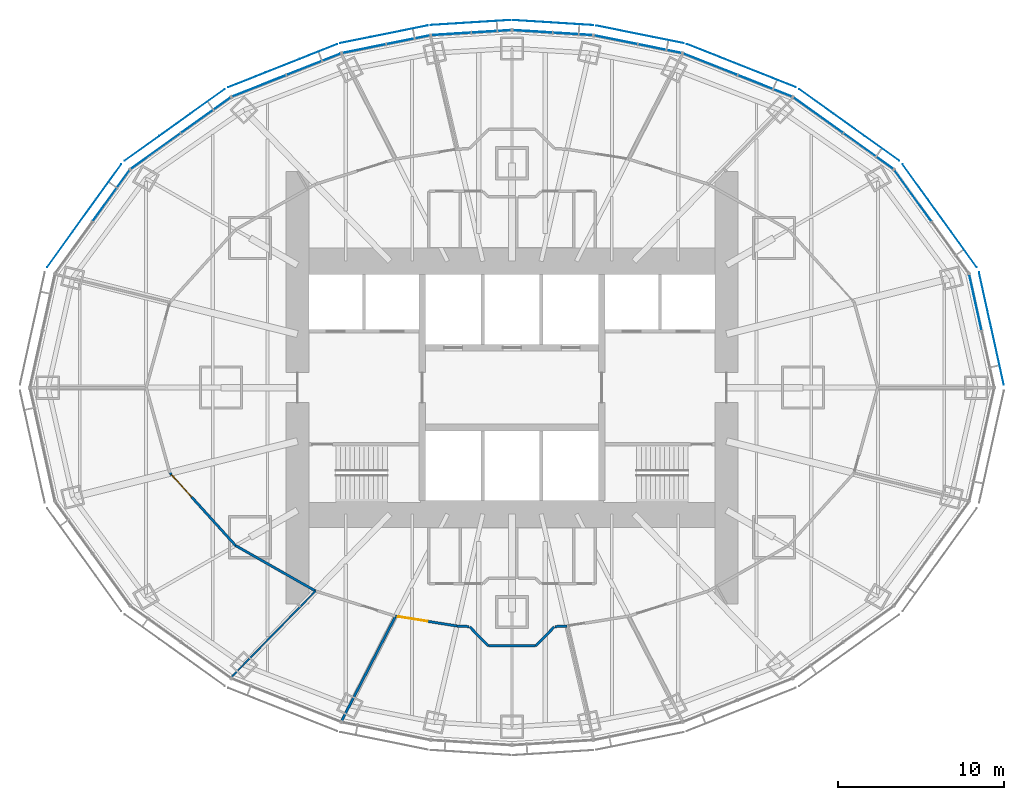
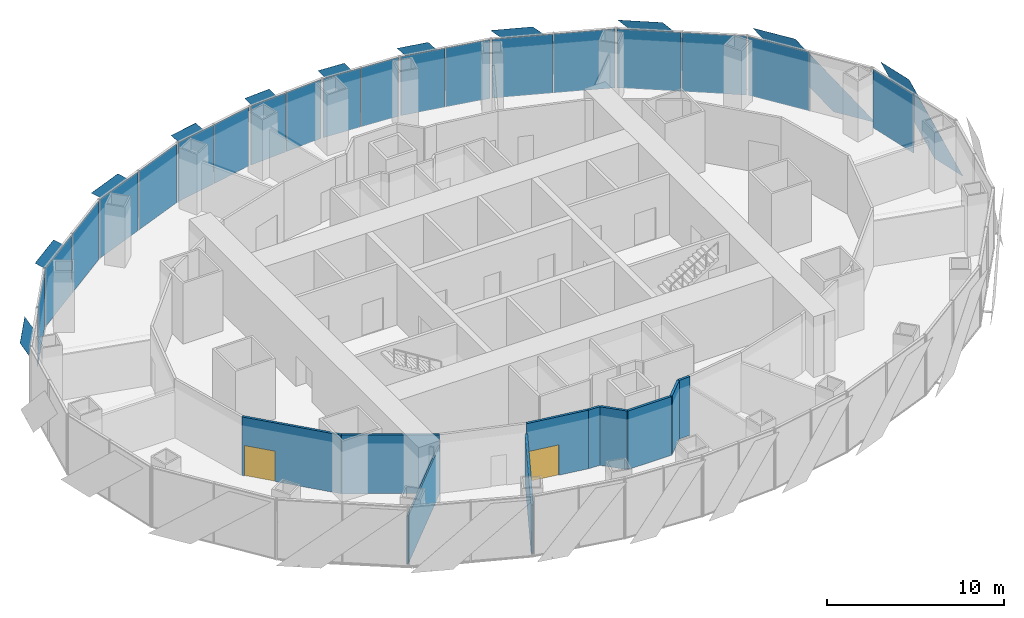
# One storey, part 10 of 18: 30 plates, 10 walls, 2 doors, 2 openings, 11 elements without a shape of their own.
"""IFC4 building model written with IfcOpenShell, lengths in metres."""

from ifc_helpers import new_model, si_unit, direction, frame, frame_2d, origin, origin_2d, place, context, subcontext, project, spatial, polyline, rectangle, outline, extrude, material, layer, layer_set, type_object, element, fill, aggregate, save


model = new_model("IFC4")

# Units and contexts
model_context = context("Model", 3, precision=1e-05, world=origin(), true_north=direction((0.0, 1.0)))
body_context = subcontext(model_context, "Body", "Model", "MODEL_VIEW")
ifc_project = project(units=[si_unit("LENGTHUNIT", "METRE"), si_unit("AREAUNIT", "SQUARE_METRE"), si_unit("VOLUMEUNIT", "CUBIC_METRE"), si_unit("PLANEANGLEUNIT", "RADIAN"), si_unit("MASSUNIT", "GRAM", prefix="KILO")], contexts=[model_context])

# Site, building, storey
site_placement = place(None, origin())
site = spatial("IfcSite", under=ifc_project, at=site_placement, CompositionType="ELEMENT")
building_placement = place(site_placement, origin())
building = spatial("IfcBuilding", under=site, at=building_placement, Name="Lantaw Convention Tower", CompositionType="ELEMENT")
storey_placement = place(building_placement, frame((0.0, 0.0, 176.199951171875)))
storey = spatial("IfcBuildingStorey", under=building, at=storey_placement, Name="L41", CompositionType="ELEMENT", Elevation=176.199951171875)

# Curtain wall, plate
ifc_material_1 = material(Name="Aluminium framed curtain wall", Category="aluminium")
curtain_wall_type = type_object("IfcCurtainWallType", Name="Office curtain wall low rise, pale aluminium", PredefinedType="USERDEFINED", material=ifc_material_1)
curtain_wall_1_placement = place(storey_placement, origin())
curtain_wall_1 = element("IfcCurtainWall", 1, at=curtain_wall_1_placement, inside=storey, type_object=curtain_wall_type, Name="Office curtain wall low rise, pale aluminium L41", ObjectType="UNITISED CURTAIN WALL", PredefinedType="USERDEFINED")
ifc_material_2 = material(Name="Clear insulating glass", Category="glass")
ifc_layer_1 = layer(ifc_material_2, 0.028076171875)
ifc_layer_set_1 = layer_set([ifc_layer_1], Name="CW-O1 panel 28")
plate_type_1 = type_object("IfcPlateType", Name="CW-O1 panel 28", PredefinedType="CURTAIN_PANEL", material=ifc_layer_set_1)
plate_1_placement = place(storey_placement, frame((27.868896484375, 5.1240234375, -0.0849609375), z_axis=(0.0, 0.0, 1.0), x_axis=(-0.215546166174, 0.9764936509, 0.0)))
plate_1 = element("IfcPlate", 2, at=plate_1_placement, type_object=plate_type_1, Name="CW-O1 panel 2.1", PredefinedType="CURTAIN_PANEL", context=body_context, shape_type="SweptSolid", body=[
    extrude(rectangle(XDim=3.41162109375, YDim=0.028076171875, at=origin_2d()), origin(), (0.0, 0.0, 1.0), 4.070068359375),
])
aggregate(curtain_wall_1, [plate_1])

curtain_wall_2_placement = place(storey_placement, origin())
curtain_wall_2 = element("IfcCurtainWall", 3, at=curtain_wall_2_placement, inside=storey, type_object=curtain_wall_type, Name="Office curtain wall low rise, pale aluminium L41", ObjectType="UNITISED CURTAIN WALL", PredefinedType="USERDEFINED")
plate_2_placement = place(storey_placement, frame((24.108154296875, 11.5439453125, -0.0849609375), z_axis=(0.0, 0.0, 1.0), x_axis=(-0.584512597221, 0.811384633629, 0.0)))
plate_2 = element("IfcPlate", 4, at=plate_2_placement, type_object=plate_type_1, Name="CW-O1 panel 2.1", PredefinedType="CURTAIN_PANEL", context=body_context, shape_type="SweptSolid", body=[
    extrude(rectangle(XDim=3.767333984375, YDim=0.028076171875, at=origin_2d()), origin(), (0.0, 0.0, 1.0), 4.070068359375),
])
aggregate(curtain_wall_2, [plate_2])

# Curtain wall, plates
curtain_wall_3_placement = place(storey_placement, origin())
curtain_wall_3 = element("IfcCurtainWall", 5, at=curtain_wall_3_placement, inside=storey, type_object=curtain_wall_type, Name="Office curtain wall low rise, pale aluminium L41", ObjectType="UNITISED CURTAIN WALL", PredefinedType="USERDEFINED")
plate_3_placement = place(storey_placement, frame((21.43408203125, 14.2236328125, -0.0849609375), z_axis=(0.0, 0.0, 1.0), x_axis=(-0.813208325995, 0.581972695693, 0.0)))
plate_3 = element("IfcPlate", 6, at=plate_3_placement, type_object=plate_type_1, Name="CW-O1 panel 1.1", PredefinedType="CURTAIN_PANEL", context=body_context, shape_type="SweptSolid", body=[
    extrude(rectangle(XDim=3.645263671875, YDim=0.028076171875, at=origin_2d()), origin(), (0.0, 0.0, 1.0), 4.070068359375),
])
plate_4_placement = place(storey_placement, frame((18.416748046875, 16.383056640625, -0.0849609375), z_axis=(0.0, 0.0, 1.0), x_axis=(-0.813208325995, 0.581972695693, 0.0)))
plate_4 = element("IfcPlate", 7, at=plate_4_placement, type_object=plate_type_1, Name="CW-O1 panel 2.1", PredefinedType="CURTAIN_PANEL", context=body_context, shape_type="SweptSolid", body=[
    extrude(rectangle(XDim=3.645263671875, YDim=0.028076171875, at=origin_2d()), origin(), (0.0, 0.0, 1.0), 4.070068359375),
])
aggregate(curtain_wall_3, [plate_3, plate_4])

curtain_wall_4_placement = place(storey_placement, origin())
curtain_wall_4 = element("IfcCurtainWall", 8, at=curtain_wall_4_placement, inside=storey, type_object=curtain_wall_type, Name="Office curtain wall low rise, pale aluminium L41", ObjectType="UNITISED CURTAIN WALL", PredefinedType="USERDEFINED")
plate_5_placement = place(storey_placement, frame((15.208251953125, 18.145263671875, -0.0849609375), z_axis=(0.0, 0.0, 1.0), x_axis=(-0.929547687544, 0.368701907483, 0.0)))
plate_5 = element("IfcPlate", 9, at=plate_5_placement, type_object=plate_type_1, Name="CW-O1 panel 1.1", PredefinedType="CURTAIN_PANEL", context=body_context, shape_type="SweptSolid", body=[
    extrude(rectangle(XDim=3.470703125, YDim=0.028076171875, at=origin_2d()), origin(), (0.0, 0.0, 1.0), 4.070068359375),
])
plate_6_placement = place(storey_placement, frame((11.921630859375, 19.448974609375, -0.0849609375), z_axis=(0.0, 0.0, 1.0), x_axis=(-0.929547687544, 0.368701907483, 0.0)))
plate_6 = element("IfcPlate", 10, at=plate_6_placement, type_object=plate_type_1, Name="CW-O1 panel 2.1", PredefinedType="CURTAIN_PANEL", context=body_context, shape_type="SweptSolid", body=[
    extrude(rectangle(XDim=3.470703125, YDim=0.028076171875, at=origin_2d()), origin(), (0.0, 0.0, 1.0), 4.070068359375),
])
aggregate(curtain_wall_4, [plate_5, plate_6])

curtain_wall_5_placement = place(storey_placement, origin())
curtain_wall_5 = element("IfcCurtainWall", 11, at=curtain_wall_5_placement, inside=storey, type_object=curtain_wall_type, Name="Office curtain wall low rise, pale aluminium L41", ObjectType="UNITISED CURTAIN WALL", PredefinedType="USERDEFINED")
plate_7_placement = place(storey_placement, frame((8.893310546875, 20.3857421875, -0.0849609375), z_axis=(0.0, 0.0, 1.0), x_axis=(-0.980301514912, 0.197506809659, 0.0)))
plate_7 = element("IfcPlate", 12, at=plate_7_placement, type_object=plate_type_1, Name="CW-O1 panel 1.1", PredefinedType="CURTAIN_PANEL", context=body_context, shape_type="SweptSolid", body=[
    extrude(rectangle(XDim=2.634033203125, YDim=0.028076171875, at=origin_2d()), origin(), (0.0, 0.0, 1.0), 4.070068359375),
])
plate_8_placement = place(storey_placement, frame((6.247314453125, 20.9189453125, -0.0849609375), z_axis=(0.0, 0.0, 1.0), x_axis=(-0.980301514912, 0.197506809659, 0.0)))
plate_8 = element("IfcPlate", 13, at=plate_8_placement, type_object=plate_type_1, Name="CW-O1 panel 2.1", PredefinedType="CURTAIN_PANEL", context=body_context, shape_type="SweptSolid", body=[
    extrude(rectangle(XDim=2.634033203125, YDim=0.028076171875, at=origin_2d()), origin(), (0.0, 0.0, 1.0), 4.070068359375),
])
aggregate(curtain_wall_5, [plate_7, plate_8])

curtain_wall_6_placement = place(storey_placement, origin())
curtain_wall_6 = element("IfcCurtainWall", 14, at=curtain_wall_6_placement, inside=storey, type_object=curtain_wall_type, Name="Office curtain wall low rise, pale aluminium L41", ObjectType="UNITISED CURTAIN WALL", PredefinedType="USERDEFINED")
plate_9_placement = place(storey_placement, frame((3.653076171875, 21.269775390625, -0.0849609375), z_axis=(0.0, 0.0, 1.0), x_axis=(-0.998022035978, 0.062865059466, 0.0)))
plate_9 = element("IfcPlate", 15, at=plate_9_placement, type_object=plate_type_1, Name="CW-O1 panel 1.1", PredefinedType="CURTAIN_PANEL", context=body_context, shape_type="SweptSolid", body=[
    extrude(rectangle(XDim=2.353515625, YDim=0.028076171875, at=origin_2d()), origin(), (0.0, 0.0, 1.0), 4.070068359375),
])
plate_10_placement = place(storey_placement, frame((1.2392578125, 21.421875, -0.0849609375), z_axis=(0.0, 0.0, 1.0), x_axis=(-0.998022035978, 0.062865059466, 0.0)))
plate_10 = element("IfcPlate", 16, at=plate_10_placement, type_object=plate_type_1, Name="CW-O1 panel 2.1", PredefinedType="CURTAIN_PANEL", context=body_context, shape_type="SweptSolid", body=[
    extrude(rectangle(XDim=2.353515625, YDim=0.028076171875, at=origin_2d()), origin(), (0.0, 0.0, 1.0), 4.070068359375),
])
aggregate(curtain_wall_6, [plate_9, plate_10])

curtain_wall_7_placement = place(storey_placement, origin())
curtain_wall_7 = element("IfcCurtainWall", 17, at=curtain_wall_7_placement, inside=storey, type_object=curtain_wall_type, Name="Office curtain wall low rise, pale aluminium L41", ObjectType="UNITISED CURTAIN WALL", PredefinedType="USERDEFINED")
plate_11_placement = place(storey_placement, frame((-1.2392578125, 21.421875, -0.0849609375), z_axis=(0.0, 0.0, 1.0), x_axis=(-0.998022035978, -0.062865059466, 0.0)))
plate_11 = element("IfcPlate", 18, at=plate_11_placement, type_object=plate_type_1, Name="CW-O1 panel 1.1", PredefinedType="CURTAIN_PANEL", context=body_context, shape_type="SweptSolid", body=[
    extrude(rectangle(XDim=2.353515625, YDim=0.028076171875, at=origin_2d()), origin(), (0.0, 0.0, 1.0), 4.070068359375),
])
plate_12_placement = place(storey_placement, frame((-3.653076171875, 21.269775390625, -0.0849609375), z_axis=(0.0, 0.0, 1.0), x_axis=(-0.998022035978, -0.062865059466, 0.0)))
plate_12 = element("IfcPlate", 19, at=plate_12_placement, type_object=plate_type_1, Name="CW-O1 panel 2.1", PredefinedType="CURTAIN_PANEL", context=body_context, shape_type="SweptSolid", body=[
    extrude(rectangle(XDim=2.353515625, YDim=0.028076171875, at=origin_2d()), origin(), (0.0, 0.0, 1.0), 4.070068359375),
])
aggregate(curtain_wall_7, [plate_11, plate_12])

curtain_wall_8_placement = place(storey_placement, origin())
curtain_wall_8 = element("IfcCurtainWall", 20, at=curtain_wall_8_placement, inside=storey, type_object=curtain_wall_type, Name="Office curtain wall low rise, pale aluminium L41", ObjectType="UNITISED CURTAIN WALL", PredefinedType="USERDEFINED")
plate_13_placement = place(storey_placement, frame((-6.247314453125, 20.9189453125, -0.0849609375), z_axis=(0.0, 0.0, 1.0), x_axis=(-0.980301514912, -0.197506809659, 0.0)))
plate_13 = element("IfcPlate", 21, at=plate_13_placement, type_object=plate_type_1, Name="CW-O1 panel 1.1", PredefinedType="CURTAIN_PANEL", context=body_context, shape_type="SweptSolid", body=[
    extrude(rectangle(XDim=2.634033203125, YDim=0.028076171875, at=origin_2d()), origin(), (0.0, 0.0, 1.0), 4.070068359375),
])
plate_14_placement = place(storey_placement, frame((-8.893310546875, 20.3857421875, -0.0849609375), z_axis=(0.0, 0.0, 1.0), x_axis=(-0.980301514912, -0.197506809659, 0.0)))
plate_14 = element("IfcPlate", 22, at=plate_14_placement, type_object=plate_type_1, Name="CW-O1 panel 2.1", PredefinedType="CURTAIN_PANEL", context=body_context, shape_type="SweptSolid", body=[
    extrude(rectangle(XDim=2.634033203125, YDim=0.028076171875, at=origin_2d()), origin(), (0.0, 0.0, 1.0), 4.070068359375),
])
aggregate(curtain_wall_8, [plate_13, plate_14])

curtain_wall_9_placement = place(storey_placement, origin())
curtain_wall_9 = element("IfcCurtainWall", 23, at=curtain_wall_9_placement, inside=storey, type_object=curtain_wall_type, Name="Office curtain wall low rise, pale aluminium L41", ObjectType="UNITISED CURTAIN WALL", PredefinedType="USERDEFINED")
plate_15_placement = place(storey_placement, frame((-11.921630859375, 19.448974609375, -0.0849609375), z_axis=(0.0, 0.0, 1.0), x_axis=(-0.929547687544, -0.368701907483, 0.0)))
plate_15 = element("IfcPlate", 24, at=plate_15_placement, type_object=plate_type_1, Name="CW-O1 panel 1.1", PredefinedType="CURTAIN_PANEL", context=body_context, shape_type="SweptSolid", body=[
    extrude(rectangle(XDim=3.470703125, YDim=0.028076171875, at=origin_2d()), origin(), (0.0, 0.0, 1.0), 4.070068359375),
])
plate_16_placement = place(storey_placement, frame((-15.208251953125, 18.145263671875, -0.0849609375), z_axis=(0.0, 0.0, 1.0), x_axis=(-0.929547687544, -0.368701907483, 0.0)))
plate_16 = element("IfcPlate", 25, at=plate_16_placement, type_object=plate_type_1, Name="CW-O1 panel 2.1", PredefinedType="CURTAIN_PANEL", context=body_context, shape_type="SweptSolid", body=[
    extrude(rectangle(XDim=3.470703125, YDim=0.028076171875, at=origin_2d()), origin(), (0.0, 0.0, 1.0), 4.070068359375),
])
aggregate(curtain_wall_9, [plate_15, plate_16])

curtain_wall_10_placement = place(storey_placement, origin())
curtain_wall_10 = element("IfcCurtainWall", 26, at=curtain_wall_10_placement, inside=storey, type_object=curtain_wall_type, Name="Office curtain wall low rise, pale aluminium L41", ObjectType="UNITISED CURTAIN WALL", PredefinedType="USERDEFINED")
plate_17_placement = place(storey_placement, frame((-18.416748046875, 16.383056640625, -0.0849609375), z_axis=(0.0, 0.0, 1.0), x_axis=(-0.813208325995, -0.581972695693, 0.0)))
plate_17 = element("IfcPlate", 27, at=plate_17_placement, type_object=plate_type_1, Name="CW-O1 panel 1.1", PredefinedType="CURTAIN_PANEL", context=body_context, shape_type="SweptSolid", body=[
    extrude(rectangle(XDim=3.645263671875, YDim=0.028076171875, at=origin_2d()), origin(), (0.0, 0.0, 1.0), 4.070068359375),
])
plate_18_placement = place(storey_placement, frame((-21.43408203125, 14.2236328125, -0.0849609375), z_axis=(0.0, 0.0, 1.0), x_axis=(-0.813208325995, -0.581972695693, 0.0)))
plate_18 = element("IfcPlate", 28, at=plate_18_placement, type_object=plate_type_1, Name="CW-O1 panel 2.1", PredefinedType="CURTAIN_PANEL", context=body_context, shape_type="SweptSolid", body=[
    extrude(rectangle(XDim=3.645263671875, YDim=0.028076171875, at=origin_2d()), origin(), (0.0, 0.0, 1.0), 4.070068359375),
])
aggregate(curtain_wall_10, [plate_17, plate_18])

# Curtain wall, plate
curtain_wall_11_placement = place(storey_placement, origin())
curtain_wall_11 = element("IfcCurtainWall", 29, at=curtain_wall_11_placement, inside=storey, type_object=curtain_wall_type, Name="Office curtain wall low rise, pale aluminium L41", ObjectType="UNITISED CURTAIN WALL", PredefinedType="USERDEFINED")
plate_19_placement = place(storey_placement, frame((-24.108154296875, 11.5439453125, -0.0849609375), z_axis=(0.0, 0.0, 1.0), x_axis=(-0.584512597221, -0.811384633629, 0.0)))
plate_19 = element("IfcPlate", 30, at=plate_19_placement, type_object=plate_type_1, Name="CW-O1 panel 1.1", PredefinedType="CURTAIN_PANEL", context=body_context, shape_type="SweptSolid", body=[
    extrude(rectangle(XDim=3.767333984375, YDim=0.028076171875, at=origin_2d()), origin(), (0.0, 0.0, 1.0), 4.070068359375),
])
aggregate(curtain_wall_11, [plate_19])

# Plates
ifc_material_3 = material(Name="Perforated aluminium sheet, pale silver finish", Category="aluminium")
ifc_layer_2 = layer(ifc_material_3, 0.006103515625)
ifc_layer_set_2 = layer_set([ifc_layer_2], Name="Perforated aluminium solar SCREEN panel")
plate_type_2 = type_object("IfcPlateType", Name="Perforated aluminium solar SCREEN panel", PredefinedType="SHEET", material=ifc_layer_set_2)
plate_20_placement = place(storey_placement, frame((29.5810546875, 0.179443359375, -0.175048828125), z_axis=(0.976497812463, 0.215527309509, 3.332717e-05), x_axis=(-0.215527309629, 0.976497813005, 1.665e-09)))
element("IfcPlate", 31, at=plate_20_placement, inside=storey, type_object=plate_type_2, Name="Solar SCREEN panel", PredefinedType="SHEET", context=body_context, shape_type="SweptSolid", body=[
    extrude(outline(polyline([(0.0, 0.0), (2.3861843673609986, 3.3881317890172014e-21), (6.918240190546627, 4.340087881517419), (4.532108442157707, 4.340087889462621), (0.0, 0.0)])), origin(), (0.0, 0.0, -1.0), 0.006103515625),
])
plate_21_placement = place(storey_placement, frame((27.94970703125, 7.248046875, -0.175048828125), z_axis=(0.81139512159, 0.584498037099, 3.5886784e-05), x_axis=(-0.584498037475, 0.811395122112, -9.74e-10)))
element("IfcPlate", 32, at=plate_21_placement, inside=storey, type_object=plate_type_2, Name="Solar SCREEN panel", PredefinedType="SHEET", context=body_context, shape_type="SweptSolid", body=[
    extrude(outline(polyline([(0.0, 0.0), (2.628222178575422, -6.776263578034403e-21), (7.629778257969264, 4.340087900852944), (5.001754173906077, 4.340087895732103), (0.0, 0.0)])), origin(), (0.0, 0.0, -1.0), 0.006103515625),
])
plate_22_placement = place(storey_placement, frame((23.281005859375, 13.64697265625, -0.175048828125), z_axis=(0.582000183937, 0.813188653244, 1.1537145e-05), x_axis=(-0.813188653298, 0.582000183975, 0.0)))
element("IfcPlate", 33, at=plate_22_placement, inside=storey, type_object=plate_type_2, Name="Solar SCREEN panel", PredefinedType="SHEET", context=body_context, shape_type="SweptSolid", body=[
    extrude(outline(polyline([(0.0, 0.0), (2.5450183911586484, 0.0), (7.385531276904658, 4.340087890913846), (4.840512885746009, 4.340087890913846), (0.0, 0.0)])), origin(), (0.0, 0.0, -1.0), 0.006103515625),
])
plate_23_placement = place(storey_placement, frame((17.05859375, 18.063232421875, -0.175048828125), z_axis=(-0.368708915367, -0.929544907797, 1.086705e-05), x_axis=(-0.929544907851, 0.368708915389, 7.1e-10)))
element("IfcPlate", 34, at=plate_23_placement, inside=storey, type_object=plate_type_2, Name="Solar SCREEN panel", PredefinedType="SHEET", context=body_context, shape_type="SweptSolid", body=[
    extrude(outline(polyline([(0.0, 0.0), (2.4263803793049097, -1.6940658945086007e-21), (7.036549629566982, -4.340087885886879), (4.61003232741235, -4.340087889331358), (0.0, 0.0)])), origin(), (0.0, 0.0, -1.0), 0.006103515625),
])
plate_24_placement = place(storey_placement, frame((10.318603515625, 20.716796875, -0.175048828125), z_axis=(0.197556725442, 0.980291455983, 3.9483498e-05), x_axis=(-0.980291456747, 0.197556725596, 0.0)))
element("IfcPlate", 35, at=plate_24_placement, inside=storey, type_object=plate_type_2, Name="Solar SCREEN panel", PredefinedType="SHEET", context=body_context, shape_type="SweptSolid", body=[
    extrude(outline(polyline([(0.0, 0.0), (1.8574075788555457, 3.3881317890172014e-21), (5.362987026845185, 4.340087894007983), (3.505579447989639, 4.340087894007983), (0.0, 0.0)])), origin(), (0.0, 0.0, -1.0), 0.006103515625),
])
plate_25_placement = place(storey_placement, frame((4.880615234375, 21.7998046875, -0.175048828125), z_axis=(0.062838799866, 0.998023689713, 1.755059e-06), x_axis=(-0.998023689715, 0.062838799866, -8e-12)))
element("IfcPlate", 36, at=plate_25_placement, inside=storey, type_object=plate_type_2, Name="Solar SCREEN panel", PredefinedType="SHEET", context=body_context, shape_type="SweptSolid", body=[
    extrude(outline(polyline([(0.0, 0.0), (1.6666243269452135, 2.6469779601696886e-23), (4.802214797186689, 4.340087890670476), (3.135346812114104, 4.340087890643548), (0.0, 0.0)])), origin(), (0.0, 0.0, -1.0), 0.006103515625),
])
plate_26_placement = place(storey_placement, frame((-0.087890625, 22.1015625, -0.175048828125), z_axis=(0.062838799866, -0.998023689713, 1.755059e-06), x_axis=(-0.998023689715, -0.062838799866, 8e-12)))
element("IfcPlate", 37, at=plate_26_placement, inside=storey, type_object=plate_type_2, Name="Solar SCREEN panel", PredefinedType="SHEET", context=body_context, shape_type="SweptSolid", body=[
    extrude(outline(polyline([(0.0, 0.0), (1.6668679850725854, -5.293955920339377e-23), (4.802214797256801, -4.340087890592899), (3.1355904703115876, -4.340087890619822), (0.0, 0.0)])), origin(), (0.0, 0.0, -1.0), 0.006103515625),
])
plate_27_placement = place(storey_placement, frame((-5.061279296875, 21.776123046875, -0.175048828125), z_axis=(0.197556725442, -0.980291455983, 3.9483498e-05), x_axis=(-0.980291456747, -0.197556725596, 0.0)))
element("IfcPlate", 38, at=plate_27_placement, inside=storey, type_object=plate_type_2, Name="Solar SCREEN panel", PredefinedType="SHEET", context=body_context, shape_type="SweptSolid", body=[
    extrude(outline(polyline([(0.0, 0.0), (1.8574075788555457, -3.3881317890172014e-21), (5.362987026845185, -4.340087894007983), (3.505579447989639, -4.340087894007983), (0.0, 0.0)])), origin(), (0.0, 0.0, -1.0), 0.006103515625),
])
plate_28_placement = place(storey_placement, frame((-10.517822265625, 20.65771484375, -0.175048828125), z_axis=(-0.368708915367, 0.929544907797, 1.086705e-05), x_axis=(-0.929544907851, -0.368708915389, -7.1e-10)))
element("IfcPlate", 39, at=plate_28_placement, inside=storey, type_object=plate_type_2, Name="Solar SCREEN panel", PredefinedType="SHEET", context=body_context, shape_type="SweptSolid", body=[
    extrude(outline(polyline([(0.0, 0.0), (2.426517302154632, -1.6940658945086007e-21), (7.036549623406159, 4.340087895875372), (4.610169244101249, 4.340087892431086), (0.0, 0.0)])), origin(), (0.0, 0.0, -1.0), 0.006103515625),
])
plate_29_placement = place(storey_placement, frame((-17.275146484375, 17.9453125, -0.175048828125), z_axis=(0.582000183937, -0.813188653244, 1.1537145e-05), x_axis=(-0.813188653298, -0.582000183975, 0.0)))
element("IfcPlate", 40, at=plate_29_placement, inside=storey, type_object=plate_type_2, Name="Solar SCREEN panel", PredefinedType="SHEET", context=body_context, shape_type="SweptSolid", body=[
    extrude(outline(polyline([(0.0, 0.0), (2.5450183911586484, 0.0), (7.385531276904658, -4.340087890913846), (4.840512885746009, -4.340087890913846), (0.0, 0.0)])), origin(), (0.0, 0.0, -1.0), 0.006103515625),
])
plate_30_placement = place(storey_placement, frame((-23.489990234375, 13.438720703125, -0.175048828125), z_axis=(0.81139512159, -0.584498037099, 3.5886784e-05), x_axis=(-0.584498037475, -0.811395122112, 9.74e-10)))
element("IfcPlate", 41, at=plate_30_placement, inside=storey, type_object=plate_type_2, Name="Solar SCREEN panel", PredefinedType="SHEET", context=body_context, shape_type="SweptSolid", body=[
    extrude(outline(polyline([(0.0, 0.0), (2.6280240840631874, -6.776263578034403e-21), (7.6297782664261495, -4.340087885985926), (5.0015560878507275, -4.340087891107152), (0.0, 0.0)])), origin(), (0.0, 0.0, -1.0), 0.006103515625),
])

# Wall, opening, door
ifc_material_4 = material(Name="Gypsum board on steel studs, fire rated", Category="steel")
ifc_layer_3 = layer(ifc_material_4, 0.14990234375)
ifc_layer_set_3 = layer_set([ifc_layer_3], Name="Corridor wall 150 EI 60")
wall_type_1 = type_object("IfcWallType", Name="Corridor wall 150 EI 60", PredefinedType="PARTITIONING", material=ifc_layer_set_3)
wall_1_placement = place(storey_placement, frame((-20.576904296875, -5.13037109375, 0.0), z_axis=(0.0, 0.0, 1.0), x_axis=(0.671118353743, -0.741350224435, 0.0)))
wall_1 = element("IfcWall", 42, at=wall_1_placement, inside=storey, type_object=wall_type_1, Name="Corridor wall 150", PredefinedType="PARTITIONING", context=body_context, shape_type="SweptSolid", body=[
    extrude(rectangle(XDim=5.89208984375, YDim=0.14990234375, at=frame_2d((2.946044921875, 0.0))), origin(), (0.0, 0.0, 1.0), 4.050048828125),
])
opening_1_placement = place(wall_1_placement, frame((0.14990234375, 0.0, 0.0)))
opening_1 = element("IfcOpeningElement", 43, at=opening_1_placement, cuts=wall_1, Name="Opening L41.28", PredefinedType="OPENING", context=body_context, shape_type="SweptSolid", body=[
    extrude(rectangle(XDim=1.800048828125, YDim=2.10009765625, at=frame_2d((0.89990234375, 1.050048828125))), frame((0.0, 0.0849609375, 0.0), z_axis=(0.0, -1.0, 0.0), x_axis=(1.0, 0.0, 0.0)), (0.0, 0.0, 1.0), 0.169921875),
])
ifc_material_5 = material(Name="Steel, fire rated", Category="steel")
door_type = type_object("IfcDoorType", Name="Office double door 1800 FD30", OperationType="DOUBLE_DOOR_DOUBLE_SWING", PredefinedType="DOOR", material=ifc_material_5)
door_1_placement = place(opening_1_placement, origin())
door_1 = element("IfcDoor", 44, at=door_1_placement, inside=storey, type_object=door_type, Name="Tenant suite door", OperationType="DOUBLE_DOOR_DOUBLE_SWING", OverallHeight=2.10009765625, OverallWidth=1.800048828125, PredefinedType="DOOR", context=body_context, shape_type="SweptSolid", body=[
    extrude(rectangle(XDim=1.800048828125, YDim=2.10009765625, at=frame_2d((0.89990234375, 1.050048828125))), frame((0.0, 0.02490234375, 0.0), z_axis=(0.0, -1.0, 0.0), x_axis=(1.0, 0.0, 0.0)), (0.0, 0.0, 1.0), 0.050048828125),
])
fill(opening_1, door_1)

# Wall
wall_2_placement = place(storey_placement, frame((-16.62255859375, -9.49853515625, 0.0), z_axis=(0.0, 0.0, 1.0), x_axis=(0.869375991036, -0.494151177485, 0.0)))
element("IfcWall", 45, at=wall_2_placement, inside=storey, type_object=wall_type_1, Name="Corridor wall 150", PredefinedType="PARTITIONING", context=body_context, shape_type="SweptSolid", body=[
    extrude(rectangle(XDim=5.532470703125, YDim=0.14990234375, at=frame_2d((2.76611328125, 0.0))), origin(), (0.0, 0.0, 1.0), 4.050048828125),
])

# Wall, opening, door
wall_3_placement = place(storey_placement, frame((-7.003662109375, -13.74560546875, 0.0), z_axis=(0.0, 0.0, 1.0), x_axis=(0.987511396594, -0.157547585181, 0.0)))
wall_3 = element("IfcWall", 46, at=wall_3_placement, inside=storey, type_object=wall_type_1, Name="Corridor wall 150", PredefinedType="PARTITIONING", context=body_context, shape_type="SweptSolid", body=[
    extrude(rectangle(XDim=3.74072265625, YDim=0.14990234375, at=frame_2d((1.870361328125, 0.0))), origin(), (0.0, 0.0, 1.0), 4.050048828125),
])
opening_2_placement = place(wall_3_placement, frame((0.14990234375, 0.0, 0.0)))
opening_2 = element("IfcOpeningElement", 47, at=opening_2_placement, cuts=wall_3, Name="Opening L41.30", PredefinedType="OPENING", context=body_context, shape_type="SweptSolid", body=[
    extrude(rectangle(XDim=1.800048828125, YDim=2.10009765625, at=frame_2d((0.89990234375, 1.050048828125))), frame((0.0, 0.0849609375, 0.0), z_axis=(0.0, -1.0, 0.0), x_axis=(1.0, 0.0, 0.0)), (0.0, 0.0, 1.0), 0.169921875),
])
door_2_placement = place(opening_2_placement, origin())
door_2 = element("IfcDoor", 48, at=door_2_placement, inside=storey, type_object=door_type, Name="Tenant suite door", OperationType="DOUBLE_DOOR_DOUBLE_SWING", OverallHeight=2.10009765625, OverallWidth=1.800048828125, PredefinedType="DOOR", context=body_context, shape_type="SweptSolid", body=[
    extrude(rectangle(XDim=1.800048828125, YDim=2.10009765625, at=frame_2d((0.89990234375, 1.050048828125))), frame((0.0, 0.02490234375, 0.0), z_axis=(0.0, -1.0, 0.0), x_axis=(1.0, 0.0, 0.0)), (0.0, 0.0, 1.0), 0.050048828125),
])
fill(opening_2, door_2)

# Walls
for number, where, z_axis, x_axis, name in (
    (49, (-3.3095703125, -14.3349609375, 0.0), (0.0, 0.0, 1.0), (0.998758954215, -0.04980513402, 0.0), "Corridor wall 150"),
    (50, (2.5751953125, -14.37158203125, 0.0), (0.0, 0.0, 1.0), (0.998758954215, 0.04980513402, 0.0), "Corridor wall 150"),
):
    element("IfcWall", number, at=place(storey_placement, frame(where, z_axis=z_axis, x_axis=x_axis)), inside=storey, type_object=wall_type_1, Name=name, PredefinedType="PARTITIONING", context=body_context, shape_type="SweptSolid", body=[
        extrude(rectangle(XDim=0.7353515625, YDim=0.14990234375, at=frame_2d((0.36767578125, 0.0))), origin(), (0.0, 0.0, 1.0), 4.050048828125),
    ])
wall_4_placement = place(storey_placement, frame((2.5458984375, -14.38671875, 0.0), z_axis=(0.0, 0.0, 1.0), x_axis=(-0.701815492047, -0.712358768545, 0.0)))
element("IfcWall", 51, at=wall_4_placement, inside=storey, type_object=wall_type_1, Name="Corridor wall 150", PredefinedType="PARTITIONING", context=body_context, shape_type="SweptSolid", body=[
    extrude(rectangle(XDim=1.59765625, YDim=0.14990234375, at=frame_2d((0.798828125, 0.0))), origin(), (0.0, 0.0, 1.0), 4.050048828125),
])
wall_5_placement = place(storey_placement, frame((1.424560546875, -15.52490234375, 0.0), z_axis=(0.0, 0.0, 1.0), x_axis=(-1.0, 0.0, 0.0)))
element("IfcWall", 52, at=wall_5_placement, inside=storey, type_object=wall_type_1, Name="Corridor wall 150", PredefinedType="PARTITIONING", context=body_context, shape_type="SweptSolid", body=[
    extrude(rectangle(XDim=2.84912109375, YDim=0.14990234375, at=frame_2d((1.424560546875, 0.0))), origin(), (0.0, 0.0, 1.0), 4.050048828125),
])
wall_6_placement = place(storey_placement, frame((-1.424560546875, -15.52490234375, 0.0), z_axis=(0.0, 0.0, 1.0), x_axis=(-0.701815492047, 0.712358768545, 0.0)))
element("IfcWall", 53, at=wall_6_placement, inside=storey, type_object=wall_type_1, Name="Corridor wall 150", PredefinedType="PARTITIONING", context=body_context, shape_type="SweptSolid", body=[
    extrude(rectangle(XDim=1.59765625, YDim=0.14990234375, at=frame_2d((0.798828125, 0.0))), origin(), (0.0, 0.0, 1.0), 4.050048828125),
])
ifc_material_6 = material(Name="Gypsum board on steel studs, acoustic", Category="steel")
ifc_layer_4 = layer(ifc_material_6, 0.10009765625)
ifc_layer_set_4 = layer_set([ifc_layer_4], Name="Office partition 100")
wall_type_2 = type_object("IfcWallType", Name="Office partition 100", PredefinedType="PARTITIONING", material=ifc_layer_set_4)
wall_7_placement = place(storey_placement, frame((-16.88232421875, -17.413818359375, 0.0), z_axis=(0.0, 0.0, 1.0), x_axis=(0.699352142517, 0.714777294517, 0.0)))
element("IfcWall", 54, at=wall_7_placement, inside=storey, type_object=wall_type_2, Name="Office partition 100", PredefinedType="PARTITIONING", context=body_context, shape_type="SweptSolid", body=[
    extrude(rectangle(XDim=7.2490234375, YDim=0.10009765625, at=frame_2d((3.62451171875, 0.0))), origin(), (0.0, 0.0, 1.0), 3.321044921875),
])
ifc_layer_5 = layer(ifc_material_4, 0.14990234375)
ifc_layer_set_5 = layer_set([ifc_layer_5], Name="Tenant separation wall 150 EI 60")
wall_type_3 = type_object("IfcWallType", Name="Tenant separation wall 150 EI 60", PredefinedType="PARTITIONING", material=ifc_layer_set_5)
wall_8_placement = place(storey_placement, frame((-10.25341796875, -20.0517578125, 0.0), z_axis=(0.0, 0.0, 1.0), x_axis=(0.458082677592, 0.888909590729, 0.0)))
element("IfcWall", 55, at=wall_8_placement, inside=storey, type_object=wall_type_3, Name="Tenant separation wall 150", PredefinedType="PARTITIONING", context=body_context, shape_type="SweptSolid", body=[
    extrude(rectangle(XDim=7.09423828125, YDim=0.14990234375, at=frame_2d((3.547119140625, 0.0))), origin(), (0.0, 0.0, 1.0), 3.34912109375),
])

save(model, "model.ifc")
